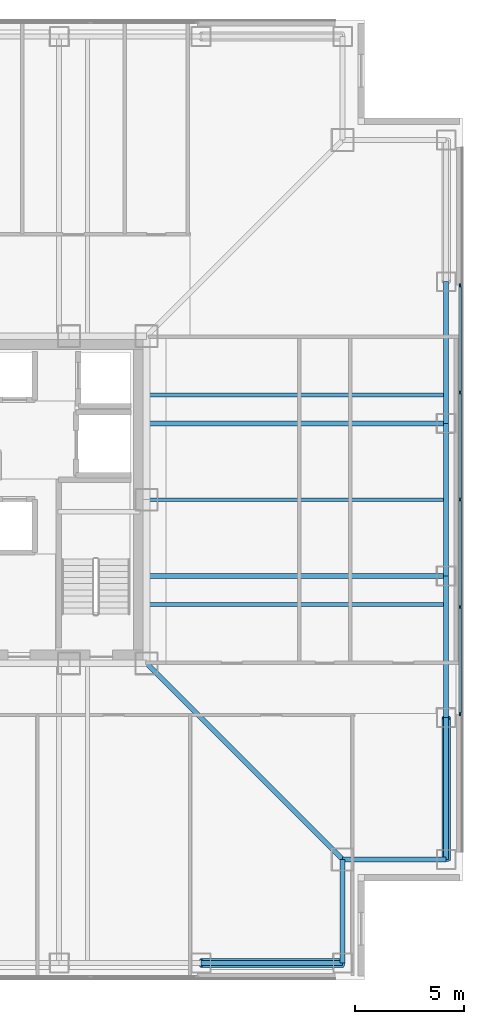
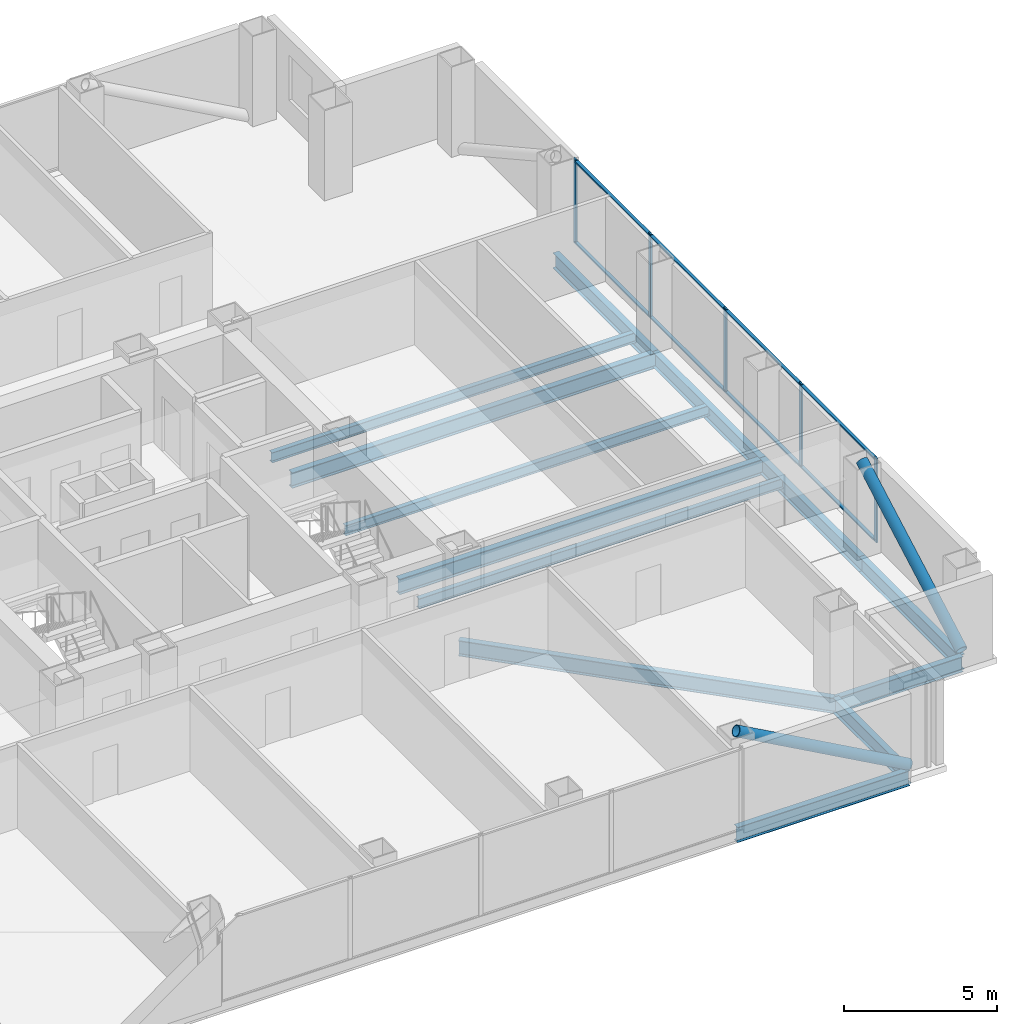
# One storey, part 5 of 13: 15 members, 13 beams, 1 element without a shape of its own.
"""IFC4 building model written with IfcOpenShell, lengths in metres."""

import ifcopenshell
import ifcopenshell.guid

model = None  # the IFC model being written
_history = None  # IfcOwnerHistory: only IFC2X3 demands one
_inside = {}  # id of a spatial element -> (the spatial element, [elements in it])
_under = {}  # id of a project, library or spatial element -> (it, [spatial elements below it])
_declared = {}  # id of a project -> (the project, [libraries it declares])
_typed = {}  # id of a type object -> (the type object, [elements of that type])
_made_of = {}  # id of a material, layer set ... -> (it, [elements and type objects made of it])


def new_model(schema):
    """Start an empty IFC model of exactly this schema.

    Asked for "IFC4X3", IfcOpenShell would pick the latest addendum, in which some entities
    have other attributes; the version numbers below select the first issue.
    IFC2X3 requires an IfcOwnerHistory on every rooted entity: one is made here for all.
    """
    global model, _history
    if schema == "IFC4X3":
        model = ifcopenshell.file(schema_version=(4, 3, 0, 0))
    else:
        model = ifcopenshell.file(schema=schema)
    _inside.clear()
    _under.clear()
    _declared.clear()
    _typed.clear()
    _made_of.clear()
    _history = None
    if model.schema == "IFC2X3":
        org = make("IfcOrganization", Name="unknown")
        user = make(
            "IfcPersonAndOrganization",
            ThePerson=make("IfcPerson", FamilyName="unknown"),
            TheOrganization=org,
        )
        app = make(
            "IfcApplication",
            ApplicationDeveloper=org,
            Version="unknown",
            ApplicationFullName="unknown",
            ApplicationIdentifier="unknown",
        )
        _history = make(
            "IfcOwnerHistory",
            OwningUser=user,
            OwningApplication=app,
            ChangeAction="ADDED",
            CreationDate=0,
        )
    return model


def make(cls, **values):
    """One entity of the class cls with the attributes given. An attribute that is None is left unset."""
    return model.create_entity(
        cls, **{name: value for name, value in values.items() if value is not None}
    )


def rooted(cls, **values):
    """An entity with a GlobalId (a new one), such as an element, a storey or a relation."""
    return make(cls, GlobalId=ifcopenshell.guid.new(), OwnerHistory=_history, **values)


def si_unit(unit_type, name, prefix=None):
    """IfcSIUnit, for example si_unit("LENGTHUNIT", "METRE", prefix="MILLI")."""
    return make("IfcSIUnit", UnitType=unit_type, Prefix=prefix, Name=name)


def assignment(units):
    """IfcUnitAssignment: the units of a project."""
    return None if units is None else make("IfcUnitAssignment", Units=units)


def point(xyz):
    """IfcCartesianPoint."""
    return None if xyz is None else make("IfcCartesianPoint", Coordinates=xyz)


def direction(xyz):
    """IfcDirection."""
    return None if xyz is None else make("IfcDirection", DirectionRatios=xyz)


def frame(location, z_axis=None, x_axis=None):
    """IfcAxis2Placement3D, a coordinate frame: its origin and axes. An axis left out is left unset."""
    return make(
        "IfcAxis2Placement3D",
        Location=point(location),
        Axis=direction(z_axis),
        RefDirection=direction(x_axis),
    )


def frame_2d(location, x_axis=None):
    """IfcAxis2Placement2D, a coordinate frame in the plane: its origin and x axis."""
    return make(
        "IfcAxis2Placement2D", Location=point(location), RefDirection=direction(x_axis)
    )


def origin():
    """The frame at (0, 0, 0) with its axes left unset."""
    return frame((0.0, 0.0, 0.0))


def origin_2d():
    """The frame at (0, 0) in the plane with its x axis left unset."""
    return frame_2d((0.0, 0.0))


def place(relative_to, where):
    """IfcLocalPlacement: puts the frame where relative to a parent placement (None: the world)."""
    return make(
        "IfcLocalPlacement", PlacementRelTo=relative_to, RelativePlacement=where
    )


def context(
    kind, dimensions, precision=None, world=None, true_north=None, identifier=None
):
    """IfcGeometricRepresentationContext, for example the 3D "Model" context."""
    return make(
        "IfcGeometricRepresentationContext",
        ContextIdentifier=identifier,
        ContextType=kind,
        CoordinateSpaceDimension=dimensions,
        Precision=precision,
        WorldCoordinateSystem=world,
        TrueNorth=true_north,
    )


def subcontext(parent, identifier, kind, view, scale=None):
    """IfcGeometricRepresentationSubContext, for example "Body" below "Model"."""
    return make(
        "IfcGeometricRepresentationSubContext",
        ContextIdentifier=identifier,
        ContextType=kind,
        ParentContext=parent,
        TargetScale=scale,
        TargetView=view,
    )


def project(units=None, contexts=None):
    """IfcProject with its units and contexts."""
    return rooted(
        "IfcProject",
        Name="project",
        RepresentationContexts=contexts,
        UnitsInContext=assignment(units),
    )


def spatial(cls, under=None, at=None, **own):
    """A site, building, storey or space (cls), placed at a placement, below another one or the project."""
    s = rooted(cls, ObjectPlacement=at, **own)
    if under is not None:
        _under.setdefault(under.id(), (under, []))[1].append(s)
    return s


def profile(cls, at=None, kind="AREA", **sizes):
    """A parametric profile (cls). Its sizes go by their IFC names, for example OverallWidth=200.0."""
    return make(cls, ProfileType=kind, Position=at, **sizes)


def rectangle(**sizes):
    """IfcRectangleProfileDef."""
    return profile("IfcRectangleProfileDef", **sizes)


def hollow_circle(**sizes):
    """IfcCircleHollowProfileDef."""
    return profile("IfcCircleHollowProfileDef", **sizes)


def i_section(**sizes):
    """IfcIShapeProfileDef."""
    return profile("IfcIShapeProfileDef", **sizes)


def extrude(swept, where, along, depth):
    """IfcExtrudedAreaSolid: the profile swept, set in the frame where, extruded along a direction by depth."""
    return make(
        "IfcExtrudedAreaSolid",
        SweptArea=swept,
        Position=where,
        ExtrudedDirection=direction(along),
        Depth=depth,
    )


def shape(context_of_items, identifier, shape_type, items):
    """IfcShapeRepresentation: the items that make up one representation, for example the "Body"."""
    return make(
        "IfcShapeRepresentation",
        ContextOfItems=context_of_items,
        RepresentationIdentifier=identifier,
        RepresentationType=shape_type,
        Items=items,
    )


def material(Name=None, Category=None):
    """IfcMaterial."""
    return make("IfcMaterial", Name=Name, Category=Category)


def layer(
    of_material, thickness, ventilated=None, Name=None, Category=None, Priority=None
):
    """IfcMaterialLayer: one layer of a wall or slab, of a material (None: an air gap)."""
    return make(
        "IfcMaterialLayer",
        Material=of_material,
        LayerThickness=thickness,
        IsVentilated=ventilated,
        Name=Name,
        Category=Category,
        Priority=Priority,
    )


def layer_set(layers, Name=None):
    """IfcMaterialLayerSet."""
    return make("IfcMaterialLayerSet", MaterialLayers=layers, LayerSetName=Name)


def material_profile(
    of_material, cross_section, Name=None, Category=None, Priority=None
):
    """IfcMaterialProfile: a cross section and its material."""
    return make(
        "IfcMaterialProfile",
        Name=Name,
        Material=of_material,
        Profile=cross_section,
        Priority=Priority,
        Category=Category,
    )


def profile_set(profiles, Name=None, composite=None):
    """IfcMaterialProfileSet."""
    return make(
        "IfcMaterialProfileSet",
        Name=Name,
        MaterialProfiles=profiles,
        CompositeProfile=composite,
    )


def made_of(thing, what):
    """Note that an element or type object is made of a material, layer set ...; save() writes the relation."""
    if what is not None:
        _made_of.setdefault(what.id(), (what, []))[1].append(thing)
    return thing


def type_object(cls, material=None, **own):
    """A type object (cls), such as IfcWallType, which elements share."""
    return made_of(rooted(cls, **own), material)


def element(
    cls,
    number,
    at=None,
    inside=None,
    cuts=None,
    type_object=None,
    material=None,
    context=None,
    identifier="Body",
    shape_type=None,
    held_by="IfcProductDefinitionShape",
    body=None,
    shapes=None,
    **own,
):
    """One element of the class cls, such as IfcWall. Its Tag is "e" and its number.

    at: its placement. inside: the storey or other place that contains it. cuts: it is an
    opening in that element (IfcRelVoidsElement). A single representation is given by context,
    identifier, shape_type and body (its items); several are given by shapes. held_by: the class
    of the entity that holds the representations. save() writes the other relations.
    """
    e = rooted(cls, Tag="e%d" % number, ObjectPlacement=at, **own)
    if body is not None:
        shapes = [shape(context, identifier, shape_type, body)]
    if shapes is not None:
        e.Representation = make(held_by, Representations=shapes)
    if inside is not None:
        _inside.setdefault(inside.id(), (inside, []))[1].append(e)
    if cuts is not None:
        rooted(
            "IfcRelVoidsElement", RelatingBuildingElement=cuts, RelatedOpeningElement=e
        )
    if type_object is not None:
        _typed.setdefault(type_object.id(), (type_object, []))[1].append(e)
    return made_of(e, material)


def aggregate(whole, parts):
    """IfcRelAggregates: a whole, such as a stair, and the parts it consists of."""
    return rooted("IfcRelAggregates", RelatingObject=whole, RelatedObjects=parts)


def save(model, path):
    """Write the relations noted so far, then the file.

    IfcRelAggregates (storeys below a building ...), IfcRelContainedInSpatialStructure (elements
    in a storey), IfcRelDefinesByType, IfcRelAssociatesMaterial and IfcRelDeclares: one each for
    every whole, place, type object, material and project.
    """
    for whole, parts in _under.values():
        aggregate(whole, parts)
    for where, things in _inside.values():
        rooted(
            "IfcRelContainedInSpatialStructure",
            RelatedElements=things,
            RelatingStructure=where,
        )
    for kind, things in _typed.values():
        rooted("IfcRelDefinesByType", RelatedObjects=things, RelatingType=kind)
    for what, things in _made_of.values():
        rooted("IfcRelAssociatesMaterial", RelatedObjects=things, RelatingMaterial=what)
    for by, libraries in _declared.values():
        rooted("IfcRelDeclares", RelatingContext=by, RelatedDefinitions=libraries)
    model.write(path)


model = new_model("IFC4")

# Units and contexts
model_context = context("Model", 3, precision=1e-05, world=origin(), true_north=direction((0.0, 1.0)))
body_context = subcontext(model_context, "Body", "Model", "MODEL_VIEW")
ifc_project = project(units=[si_unit("LENGTHUNIT", "METRE"), si_unit("AREAUNIT", "SQUARE_METRE"), si_unit("VOLUMEUNIT", "CUBIC_METRE"), si_unit("PLANEANGLEUNIT", "RADIAN"), si_unit("MASSUNIT", "GRAM", prefix="KILO")], contexts=[model_context])

# Site, building, storey
site_placement = place(None, origin())
site = spatial("IfcSite", under=ifc_project, at=site_placement, CompositionType="ELEMENT")
building_placement = place(site_placement, origin())
building = spatial("IfcBuilding", under=site, at=building_placement, Name="Trevonay Congress Spire", CompositionType="ELEMENT")
storey_placement = place(building_placement, frame((0.0, 0.0, 112.0)))
storey = spatial("IfcBuildingStorey", under=building, at=storey_placement, Name="L28", CompositionType="ELEMENT", Elevation=112.0)

# Beams
ifc_material_1 = material(Name="Steel ASTM A572 Grade 50", Category="steel")
ifc_material_profile_1 = material_profile(ifc_material_1, i_section(OverallWidth=0.22998046875, OverallDepth=0.616943359375, WebThickness=0.01318359375, FlangeThickness=0.022216796875, FilletRadius=0.01611328125, at=origin_2d()), Name="W610x140")
ifc_profile_set_1 = profile_set([ifc_material_profile_1], Name="Steel ASTM A572 Grade 50")
beam_type_1 = type_object("IfcBeamType", Name="BM-GIRD-W610X140", PredefinedType="BEAM", material=ifc_profile_set_1)
beam_1_placement = place(storey_placement, frame((7.5, -7.5, -0.548583984375), z_axis=(0.707106781187, -0.707106781187, 0.0), x_axis=(0.707106781187, 0.707106781187, 0.0)))
element("IfcBeam", 1, at=beam_1_placement, inside=storey, type_object=beam_type_1, Name="L28 structural beam BM-L28-CDSE", PredefinedType="BEAM", context=body_context, shape_type="SweptSolid", body=[
    extrude(i_section(OverallWidth=0.22998046875, OverallDepth=0.616943359375, WebThickness=0.01318359375, FlangeThickness=0.022216796875, FilletRadius=0.01611328125, at=origin_2d()), origin(), (0.0, 0.0, 1.0), 12.72802734375),
])
for number, where, z_axis, x_axis, name in (
    (2, (7.5, -3.5, -0.548583984375), (1.0, 0.0, 0.0), (0.0, 1.0, 0.0), "L28 structural beam BM-L28-GE-M"),
    (3, (7.5, 3.5, -0.548583984375), (1.0, 0.0, 0.0), (0.0, 1.0, 0.0), "L28 structural beam BM-L28-GE-P"),
):
    element("IfcBeam", number, at=place(storey_placement, frame(where, z_axis=z_axis, x_axis=x_axis)), inside=storey, type_object=beam_type_1, Name=name, PredefinedType="BEAM", context=body_context, shape_type="SweptSolid", body=[
        extrude(i_section(OverallWidth=0.22998046875, OverallDepth=0.616943359375, WebThickness=0.01318359375, FlangeThickness=0.022216796875, FilletRadius=0.01611328125, at=origin_2d()), origin(), (0.0, 0.0, 1.0), 13.75),
    ])
ifc_material_profile_2 = material_profile(ifc_material_1, i_section(OverallWidth=0.22802734375, OverallDepth=0.60791015625, WebThickness=0.01123046875, FlangeThickness=0.017333984375, FilletRadius=0.01611328125, at=origin_2d()), Name="W610x113")
ifc_profile_set_2 = profile_set([ifc_material_profile_2], Name="Steel ASTM A572 Grade 50")
beam_type_2 = type_object("IfcBeamType", Name="BM-RING-W610X113", PredefinedType="BEAM", material=ifc_profile_set_2)
for number, where, z_axis, x_axis, name in (
    (4, (21.25, -16.5, -0.5439453125), (0.0, 1.0, 0.0), (-1.0, 0.0, 0.0), "L28 structural beam BM-L28-PE1"),
    (5, (21.25, -10.0, -0.5439453125), (0.0, 1.0, 0.0), (-1.0, 0.0, 0.0), "L28 structural beam BM-L28-PE2"),
):
    element("IfcBeam", number, at=place(storey_placement, frame(where, z_axis=z_axis, x_axis=x_axis)), inside=storey, type_object=beam_type_2, Name=name, PredefinedType="BEAM", context=body_context, shape_type="SweptSolid", body=[
        extrude(i_section(OverallWidth=0.22802734375, OverallDepth=0.60791015625, WebThickness=0.01123046875, FlangeThickness=0.017333984375, FilletRadius=0.01611328125, at=origin_2d()), origin(), (0.0, 0.0, 1.0), 6.5),
    ])
beam_2_placement = place(storey_placement, frame((21.25, -3.5, -0.5439453125), z_axis=(0.0, 1.0, 0.0), x_axis=(-1.0, 0.0, 0.0)))
element("IfcBeam", 6, at=beam_2_placement, inside=storey, type_object=beam_type_2, Name="L28 structural beam BM-L28-PE3", PredefinedType="BEAM", context=body_context, shape_type="SweptSolid", body=[
    extrude(i_section(OverallWidth=0.22802734375, OverallDepth=0.60791015625, WebThickness=0.01123046875, FlangeThickness=0.017333984375, FilletRadius=0.01611328125, at=origin_2d()), origin(), (0.0, 0.0, 1.0), 7.0),
])
for number, where, z_axis, x_axis, name in (
    (7, (21.25, 3.5, -0.5439453125), (0.0, 1.0, 0.0), (-1.0, 0.0, 0.0), "L28 structural beam BM-L28-PE4"),
    (8, (10.0, -21.25, -0.5439453125), (1.0, 0.0, 0.0), (0.0, 1.0, 0.0), "L28 structural beam BM-L28-PS5"),
):
    element("IfcBeam", number, at=place(storey_placement, frame(where, z_axis=z_axis, x_axis=x_axis)), inside=storey, type_object=beam_type_2, Name=name, PredefinedType="BEAM", context=body_context, shape_type="SweptSolid", body=[
        extrude(i_section(OverallWidth=0.22802734375, OverallDepth=0.60791015625, WebThickness=0.01123046875, FlangeThickness=0.017333984375, FilletRadius=0.01611328125, at=origin_2d()), origin(), (0.0, 0.0, 1.0), 6.5),
    ])
for number, where, z_axis, x_axis, name in (
    (9, (16.5, -21.25, -0.5439453125), (0.0, 1.0, 0.0), (-1.0, 0.0, 0.0), "L28 structural beam BM-L28-N1SE"),
    (10, (21.25, -16.5, -0.5439453125), (-1.0, 0.0, 0.0), (0.0, -1.0, 0.0), "L28 structural beam BM-L28-N2SE"),
):
    element("IfcBeam", number, at=place(storey_placement, frame(where, z_axis=z_axis, x_axis=x_axis)), inside=storey, type_object=beam_type_2, Name=name, PredefinedType="BEAM", context=body_context, shape_type="SweptSolid", body=[
        extrude(i_section(OverallWidth=0.22802734375, OverallDepth=0.60791015625, WebThickness=0.01123046875, FlangeThickness=0.017333984375, FilletRadius=0.01611328125, at=origin_2d()), origin(), (0.0, 0.0, 1.0), 4.75),
    ])

# Curtain wall, members
ifc_material_2 = material(Name="Pale Anodised Aluminium EN AW-6063-T6", Category="aluminium")
ifc_layer = layer(ifc_material_2, 0.175048828125, Name="Pale Anodised Aluminium EN AW-6063-T6")
ifc_layer_set = layer_set([ifc_layer], Name="Pale Anodised Aluminium EN AW-6063-T6")
curtain_wall_type = type_object("IfcCurtainWallType", Name="CW-SYS03-CONGRESS-PALE-METAL", PredefinedType="NOTDEFINED", material=ifc_layer_set)
curtain_wall_placement = place(storey_placement, origin())
curtain_wall = element("IfcCurtainWall", 11, at=curtain_wall_placement, inside=storey, type_object=curtain_wall_type, Name="L28 E unitised curtain wall", PredefinedType="NOTDEFINED")
ifc_material_profile_3 = material_profile(ifc_material_2, rectangle(XDim=0.06005859375, YDim=0.159912109375, at=origin_2d()), Name="CW-MULLION-160-ALUMINIUM")
ifc_profile_set_3 = profile_set([ifc_material_profile_3], Name="Pale Anodised Aluminium EN AW-6063-T6")
member_type_1 = type_object("IfcMemberType", Name="CW-MULLION-160-ALUMINIUM", PredefinedType="MULLION", material=ifc_profile_set_3)
member_1_placement = place(storey_placement, frame((21.8798828125, -9.820068359375, 0.0), z_axis=(0.0, 0.0, 1.0), x_axis=(-1.0, 0.0, 0.0)))
member_1 = element("IfcMember", 12, at=member_1_placement, type_object=member_type_1, Name="CW03 mullion 1", PredefinedType="MULLION", context=body_context, shape_type="SweptSolid", body=[
    extrude(rectangle(XDim=0.06005859375, YDim=0.159912109375, at=origin_2d()), origin(), (0.0, 0.0, 1.0), 3.360107421875),
])
member_2_placement = place(storey_placement, frame((21.8798828125, -4.925048828125, 0.0), z_axis=(0.0, 0.0, 1.0), x_axis=(-1.0, 0.0, 0.0)))
member_2 = element("IfcMember", 13, at=member_2_placement, type_object=member_type_1, Name="CW03 mullion 2", PredefinedType="MULLION", context=body_context, shape_type="SweptSolid", body=[
    extrude(rectangle(XDim=0.06005859375, YDim=0.159912109375, at=origin_2d()), origin(), (0.0, 0.0, 1.0), 3.360107421875),
])
member_3_placement = place(storey_placement, frame((21.8798828125, 0.0, 0.0), z_axis=(0.0, 0.0, 1.0), x_axis=(-1.0, 0.0, 0.0)))
member_3 = element("IfcMember", 14, at=member_3_placement, type_object=member_type_1, Name="CW03 mullion 3", PredefinedType="MULLION", context=body_context, shape_type="SweptSolid", body=[
    extrude(rectangle(XDim=0.06005859375, YDim=0.159912109375, at=origin_2d()), origin(), (0.0, 0.0, 1.0), 3.360107421875),
])
member_4_placement = place(storey_placement, frame((21.8798828125, 4.925048828125, 0.0), z_axis=(0.0, 0.0, 1.0), x_axis=(-1.0, 0.0, 0.0)))
member_4 = element("IfcMember", 15, at=member_4_placement, type_object=member_type_1, Name="CW03 mullion 4", PredefinedType="MULLION", context=body_context, shape_type="SweptSolid", body=[
    extrude(rectangle(XDim=0.06005859375, YDim=0.159912109375, at=origin_2d()), origin(), (0.0, 0.0, 1.0), 3.360107421875),
])
member_5_placement = place(storey_placement, frame((21.8798828125, 9.820068359375, 0.0), z_axis=(0.0, 0.0, 1.0), x_axis=(-1.0, 0.0, 0.0)))
member_5 = element("IfcMember", 16, at=member_5_placement, type_object=member_type_1, Name="CW03 mullion 5", PredefinedType="MULLION", context=body_context, shape_type="SweptSolid", body=[
    extrude(rectangle(XDim=0.06005859375, YDim=0.159912109375, at=origin_2d()), origin(), (0.0, 0.0, 1.0), 3.360107421875),
])
ifc_material_profile_4 = material_profile(ifc_material_2, rectangle(XDim=0.1201171875, YDim=0.06005859375, at=origin_2d()), Name="CW-TRANSOM-120-ALUMINIUM")
ifc_profile_set_4 = profile_set([ifc_material_profile_4], Name="Pale Anodised Aluminium EN AW-6063-T6")
member_type_2 = type_object("IfcMemberType", Name="CW-TRANSOM-120-ALUMINIUM", PredefinedType="USERDEFINED", material=ifc_profile_set_4)
member_6_placement = place(storey_placement, frame((21.8798828125, -9.7900390625, 0.06005859375), z_axis=(0.0, 1.0, 0.0), x_axis=(-1.0, 0.0, 0.0)))
member_6 = element("IfcMember", 17, at=member_6_placement, type_object=member_type_2, Name="CW03 transom 1.1", ObjectType="TRANSOM", PredefinedType="USERDEFINED", context=body_context, shape_type="SweptSolid", body=[
    extrude(rectangle(XDim=0.1201171875, YDim=0.06005859375, at=origin_2d()), origin(), (0.0, 0.0, 1.0), 4.8349609375),
])
member_7_placement = place(storey_placement, frame((21.8798828125, -9.7900390625, 3.300048828125), z_axis=(0.0, 1.0, 0.0), x_axis=(-1.0, 0.0, 0.0)))
member_7 = element("IfcMember", 18, at=member_7_placement, type_object=member_type_2, Name="CW03 transom 1.2", ObjectType="TRANSOM", PredefinedType="USERDEFINED", context=body_context, shape_type="SweptSolid", body=[
    extrude(rectangle(XDim=0.1201171875, YDim=0.06005859375, at=origin_2d()), origin(), (0.0, 0.0, 1.0), 4.8349609375),
])
member_8_placement = place(storey_placement, frame((21.8798828125, -4.89501953125, 0.06005859375), z_axis=(0.0, 1.0, 0.0), x_axis=(-1.0, 0.0, 0.0)))
member_8 = element("IfcMember", 19, at=member_8_placement, type_object=member_type_2, Name="CW03 transom 2.1", ObjectType="TRANSOM", PredefinedType="USERDEFINED", context=body_context, shape_type="SweptSolid", body=[
    extrude(rectangle(XDim=0.1201171875, YDim=0.06005859375, at=origin_2d()), origin(), (0.0, 0.0, 1.0), 4.864990234375),
])
member_9_placement = place(storey_placement, frame((21.8798828125, -4.89501953125, 3.300048828125), z_axis=(0.0, 1.0, 0.0), x_axis=(-1.0, 0.0, 0.0)))
member_9 = element("IfcMember", 20, at=member_9_placement, type_object=member_type_2, Name="CW03 transom 2.2", ObjectType="TRANSOM", PredefinedType="USERDEFINED", context=body_context, shape_type="SweptSolid", body=[
    extrude(rectangle(XDim=0.1201171875, YDim=0.06005859375, at=origin_2d()), origin(), (0.0, 0.0, 1.0), 4.864990234375),
])
member_10_placement = place(storey_placement, frame((21.8798828125, 0.030029296875, 0.06005859375), z_axis=(0.0, 1.0, 0.0), x_axis=(-1.0, 0.0, 0.0)))
member_10 = element("IfcMember", 21, at=member_10_placement, type_object=member_type_2, Name="CW03 transom 3.1", ObjectType="TRANSOM", PredefinedType="USERDEFINED", context=body_context, shape_type="SweptSolid", body=[
    extrude(rectangle(XDim=0.1201171875, YDim=0.06005859375, at=origin_2d()), origin(), (0.0, 0.0, 1.0), 4.864990234375),
])
member_11_placement = place(storey_placement, frame((21.8798828125, 0.030029296875, 3.300048828125), z_axis=(0.0, 1.0, 0.0), x_axis=(-1.0, 0.0, 0.0)))
member_11 = element("IfcMember", 22, at=member_11_placement, type_object=member_type_2, Name="CW03 transom 3.2", ObjectType="TRANSOM", PredefinedType="USERDEFINED", context=body_context, shape_type="SweptSolid", body=[
    extrude(rectangle(XDim=0.1201171875, YDim=0.06005859375, at=origin_2d()), origin(), (0.0, 0.0, 1.0), 4.864990234375),
])
member_12_placement = place(storey_placement, frame((21.8798828125, 4.955078125, 0.06005859375), z_axis=(0.0, 1.0, 0.0), x_axis=(-1.0, 0.0, 0.0)))
member_12 = element("IfcMember", 23, at=member_12_placement, type_object=member_type_2, Name="CW03 transom 4.1", ObjectType="TRANSOM", PredefinedType="USERDEFINED", context=body_context, shape_type="SweptSolid", body=[
    extrude(rectangle(XDim=0.1201171875, YDim=0.06005859375, at=origin_2d()), origin(), (0.0, 0.0, 1.0), 4.8349609375),
])
member_13_placement = place(storey_placement, frame((21.8798828125, 4.955078125, 3.300048828125), z_axis=(0.0, 1.0, 0.0), x_axis=(-1.0, 0.0, 0.0)))
member_13 = element("IfcMember", 24, at=member_13_placement, type_object=member_type_2, Name="CW03 transom 4.2", ObjectType="TRANSOM", PredefinedType="USERDEFINED", context=body_context, shape_type="SweptSolid", body=[
    extrude(rectangle(XDim=0.1201171875, YDim=0.06005859375, at=origin_2d()), origin(), (0.0, 0.0, 1.0), 4.8349609375),
])
aggregate(curtain_wall, [member_1, member_2, member_3, member_4, member_5, member_6, member_7, member_8, member_9, member_10, member_11, member_12, member_13])

# Beams
ifc_material_profile_5 = material_profile(ifc_material_1, i_section(OverallWidth=0.177978515625, OverallDepth=0.406982421875, WebThickness=0.0078125, FlangeThickness=0.0126953125, FilletRadius=0.012939453125, at=origin_2d()), Name="W410x60")
ifc_profile_set_5 = profile_set([ifc_material_profile_5], Name="Steel ASTM A572 Grade 50")
beam_type_3 = type_object("IfcBeamType", Name="JS-COMP-W410X60", PredefinedType="JOIST", material=ifc_profile_set_5)
for number, where, z_axis, x_axis, name in (
    (25, (7.5, -4.800048828125, -0.443603515625), (1.0, 0.0, 0.0), (0.0, 1.0, 0.0), "L28 structural beam JS-L28-EW-E1"),
    (26, (7.5, 0.0, -0.443603515625), (1.0, 0.0, 0.0), (0.0, 1.0, 0.0), "L28 structural beam JS-L28-EW-E2"),
    (27, (7.5, 4.800048828125, -0.443603515625), (1.0, 0.0, 0.0), (0.0, 1.0, 0.0), "L28 structural beam JS-L28-EW-E3"),
):
    element("IfcBeam", number, at=place(storey_placement, frame(where, z_axis=z_axis, x_axis=x_axis)), inside=storey, type_object=beam_type_3, Name=name, PredefinedType="JOIST", context=body_context, shape_type="SweptSolid", body=[
        extrude(i_section(OverallWidth=0.177978515625, OverallDepth=0.406982421875, WebThickness=0.0078125, FlangeThickness=0.0126953125, FilletRadius=0.012939453125, at=origin_2d()), origin(), (0.0, 0.0, 1.0), 13.75),
    ])

# Members
ifc_material_3 = material(Name="Steel ASTM A500 Grade C", Category="steel")
ifc_material_profile_6 = material_profile(ifc_material_3, hollow_circle(Radius=0.203125, WallThickness=0.02001953125, at=origin_2d()), Name="CHS 406.4x20")
ifc_profile_set_6 = profile_set([ifc_material_profile_6], Name="Steel ASTM A500 Grade C")
member_type_3 = type_object("IfcMemberType", Name="MBR-TUBE-CHS406", PredefinedType="BRACE", material=ifc_profile_set_6)
for number, where, z_axis, x_axis, name in (
    (28, (16.5, -21.25, -0.050048828125), (-0.874785785626, 0.0, 0.484509885623), (0.0, -1.0, 0.0), "L28 perimeter braced-tube diagonal S4"),
    (29, (21.25, -16.5, -0.050048828125), (0.0, 0.874785785626, 0.484509885623), (-1.0, 0.0, 0.0), "L28 perimeter braced-tube diagonal E0"),
):
    element("IfcMember", number, at=place(storey_placement, frame(where, z_axis=z_axis, x_axis=x_axis)), inside=storey, type_object=member_type_3, Name=name, PredefinedType="BRACE", context=body_context, shape_type="SweptSolid", body=[
        extrude(hollow_circle(Radius=0.203125, WallThickness=0.02001953125, at=origin_2d()), origin(), (0.0, 0.0, 1.0), 7.430419921875),
    ])

save(model, "model.ifc")
